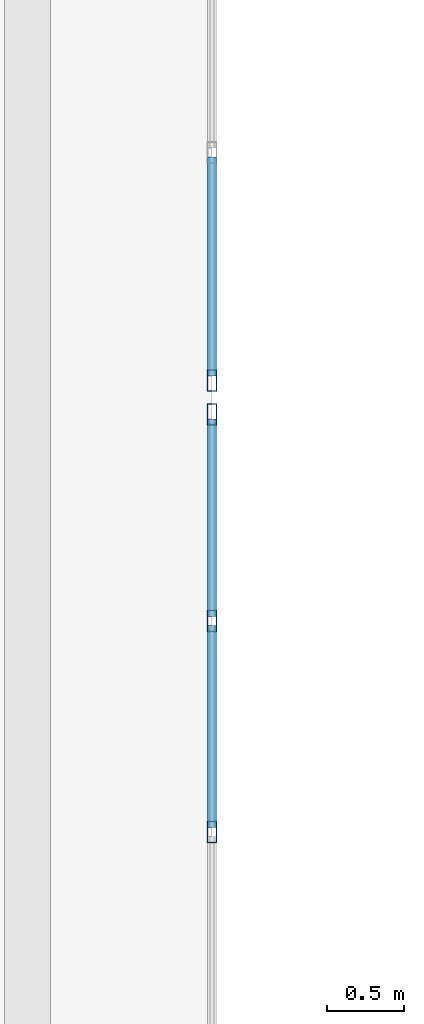
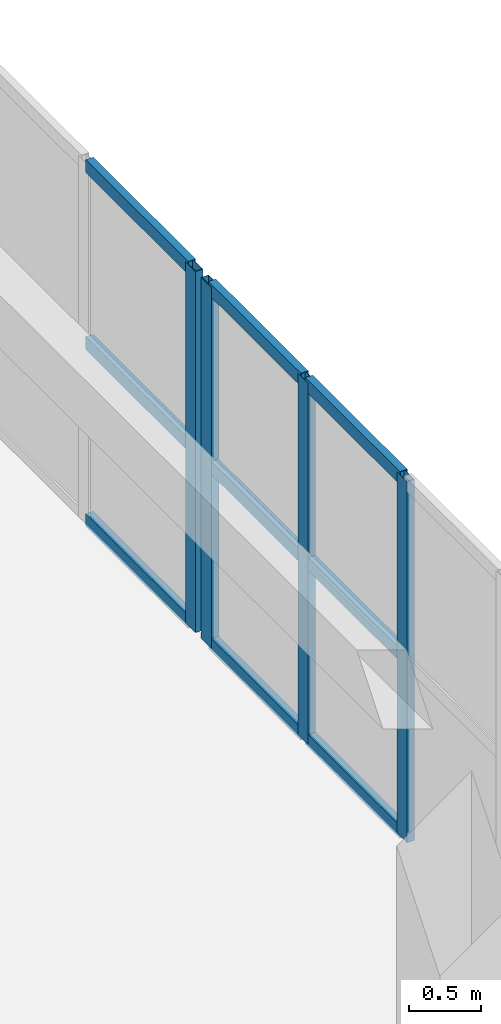
# One storey, part 73 of 200: 13 members, 2 elements without a shape of their own.
"""IFC4 building model written with IfcOpenShell, lengths in metres."""

from ifc_helpers import new_model, si_unit, direction, frame, origin, origin_2d, place, context, subcontext, project, spatial, hollow_rectangle, extrude, material, layer, layer_set, material_profile, profile_set, type_object, element, aggregate, save


model = new_model("IFC4")

# Units and contexts
model_context = context("Model", 3, precision=1e-05, world=origin(), true_north=direction((0.0, 1.0)))
body_context = subcontext(model_context, "Body", "Model", "MODEL_VIEW")
ifc_project = project(units=[si_unit("LENGTHUNIT", "METRE"), si_unit("AREAUNIT", "SQUARE_METRE"), si_unit("VOLUMEUNIT", "CUBIC_METRE"), si_unit("PLANEANGLEUNIT", "RADIAN"), si_unit("MASSUNIT", "GRAM", prefix="KILO")], contexts=[model_context])

# Site, building, storey
site_placement = place(None, origin())
site = spatial("IfcSite", under=ifc_project, at=site_placement, CompositionType="ELEMENT")
building_placement = place(site_placement, origin())
building = spatial("IfcBuilding", under=site, at=building_placement, Name="Trelvath General Hospital", CompositionType="ELEMENT")
storey_placement = place(building_placement, frame((0.0, 0.0, 4.800048828125)))
storey = spatial("IfcBuildingStorey", under=building, at=storey_placement, Name="L01", CompositionType="ELEMENT", Elevation=4.800048828125)

# Curtain wall, members
ifc_material_1 = material(Name="Anodised aluminium and low-E glass", Category="aluminium")
ifc_layer_1 = layer(ifc_material_1, 0.14990234375)
ifc_layer_set_1 = layer_set([ifc_layer_1], Name="Anodised aluminium and low-E glass")
curtain_wall_type_1 = type_object("IfcCurtainWallType", Name="CW CrystalCube 824 306 15", PredefinedType="USERDEFINED", material=ifc_layer_set_1)
curtain_wall_1_placement = place(storey_placement, origin())
curtain_wall_1 = element("IfcCurtainWall", 1, at=curtain_wall_1_placement, inside=storey, type_object=curtain_wall_type_1, Name="Crystal Cube Curtain Wall CUBE-E-T0 E3 L01", ObjectType="Unitised Glazed Curtain Wall", PredefinedType="USERDEFINED")
ifc_material_2 = material(Name="Anodised aluminium", Category="aluminium")
ifc_material_profile_1 = material_profile(ifc_material_2, hollow_rectangle(XDim=0.06005859375, YDim=0.139892578125, WallThickness=0.00390625, at=origin_2d()), Name="RHS60x140x4")
ifc_profile_set_1 = profile_set([ifc_material_profile_1], Name="Anodised aluminium")
member_type_1 = type_object("IfcMemberType", Name="CurtainMullion 60x140", PredefinedType="MULLION", material=ifc_profile_set_1)
member_1_placement = place(storey_placement, frame((121.199951171875, 50.2900390625, 0.0), z_axis=(0.0, 0.0, 1.0), x_axis=(1.0, 0.0, 0.0)))
member_1 = element("IfcMember", 2, at=member_1_placement, type_object=member_type_1, Name="CW-164 mullion 1", PredefinedType="MULLION", context=body_context, shape_type="SweptSolid", body=[
    extrude(hollow_rectangle(XDim=0.06005859375, YDim=0.139892578125, WallThickness=0.00390625, at=origin_2d()), origin(), (0.0, 0.0, 1.0), 3.06005859375),
])
member_2_placement = place(storey_placement, frame((121.199951171875, 48.94677734375, 0.0), z_axis=(0.0, 0.0, 1.0), x_axis=(1.0, 0.0, 0.0)))
member_2 = element("IfcMember", 3, at=member_2_placement, type_object=member_type_1, Name="CW-164 mullion 2", PredefinedType="MULLION", context=body_context, shape_type="SweptSolid", body=[
    extrude(hollow_rectangle(XDim=0.06005859375, YDim=0.139892578125, WallThickness=0.00390625, at=origin_2d()), origin(), (0.0, 0.0, 1.0), 3.06005859375),
])
member_3_placement = place(storey_placement, frame((121.199951171875, 47.5732421875, 0.0), z_axis=(0.0, 0.0, 1.0), x_axis=(1.0, 0.0, 0.0)))
member_3 = element("IfcMember", 4, at=member_3_placement, type_object=member_type_1, Name="CW-164 mullion 3", PredefinedType="MULLION", context=body_context, shape_type="SweptSolid", body=[
    extrude(hollow_rectangle(XDim=0.06005859375, YDim=0.139892578125, WallThickness=0.00390625, at=origin_2d()), origin(), (0.0, 0.0, 1.0), 3.06005859375),
])

# Curtain wall, member
ifc_material_3 = material(Name="Anodised aluminium and low-E glass", Category="aluminium")
ifc_layer_2 = layer(ifc_material_3, 0.14990234375)
ifc_layer_set_2 = layer_set([ifc_layer_2], Name="Anodised aluminium and low-E glass")
curtain_wall_type_2 = type_object("IfcCurtainWallType", Name="CW CrystalCube 1664 306 15", PredefinedType="USERDEFINED", material=ifc_layer_set_2)
curtain_wall_2_placement = place(storey_placement, origin())
curtain_wall_2 = element("IfcCurtainWall", 5, at=curtain_wall_2_placement, inside=storey, type_object=curtain_wall_type_2, Name="Crystal Cube Curtain Wall CUBE-E-T0 E4 L01", ObjectType="Unitised Glazed Curtain Wall", PredefinedType="USERDEFINED")
member_4_placement = place(storey_placement, frame((121.199951171875, 50.510009765625, 0.0), z_axis=(0.0, 0.0, 1.0), x_axis=(1.0, 0.0, 0.0)))
member_4 = element("IfcMember", 6, at=member_4_placement, type_object=member_type_1, Name="CW-165 mullion 12", PredefinedType="MULLION", context=body_context, shape_type="SweptSolid", body=[
    extrude(hollow_rectangle(XDim=0.06005859375, YDim=0.139892578125, WallThickness=0.00390625, at=origin_2d()), origin(), (0.0, 0.0, 1.0), 3.06005859375),
])

# Member
ifc_material_4 = material(Name="Anodised aluminium", Category="aluminium")
ifc_material_profile_2 = material_profile(ifc_material_4, hollow_rectangle(XDim=0.06005859375, YDim=0.110107421875, WallThickness=0.00390625, at=origin_2d()), Name="RHS60x110x4")
ifc_profile_set_2 = profile_set([ifc_material_profile_2], Name="Anodised aluminium")
member_type_2 = type_object("IfcMemberType", Name="CurtainTransom 60x110", PredefinedType="USERDEFINED", material=ifc_profile_set_2)
member_5_placement = place(storey_placement, frame((121.199951171875, 50.260009765625, 0.030029296875), z_axis=(0.0, -1.0, 0.0), x_axis=(1.0, 0.0, 0.0)))
member_5 = element("IfcMember", 7, at=member_5_placement, type_object=member_type_2, Name="CW-164 transom 1.1", ObjectType="TRANSOM", PredefinedType="USERDEFINED", context=body_context, shape_type="SweptSolid", body=[
    extrude(hollow_rectangle(XDim=0.06005859375, YDim=0.110107421875, WallThickness=0.00390625, at=origin_2d()), origin(), (0.0, 0.0, 1.0), 1.283447265625),
])

member_6_placement = place(storey_placement, frame((121.199951171875, 50.260009765625, 1.530029296875), z_axis=(0.0, -1.0, 0.0), x_axis=(1.0, 0.0, 0.0)))
member_6 = element("IfcMember", 8, at=member_6_placement, type_object=member_type_2, Name="CW-164 transom 1.2", ObjectType="TRANSOM", PredefinedType="USERDEFINED", context=body_context, shape_type="SweptSolid", body=[
    extrude(hollow_rectangle(XDim=0.06005859375, YDim=0.110107421875, WallThickness=0.00390625, at=origin_2d()), origin(), (0.0, 0.0, 1.0), 1.283447265625),
])

member_7_placement = place(storey_placement, frame((121.199951171875, 50.260009765625, 3.030029296875), z_axis=(0.0, -1.0, 0.0), x_axis=(1.0, 0.0, 0.0)))
member_7 = element("IfcMember", 9, at=member_7_placement, type_object=member_type_2, Name="CW-164 transom 1.3", ObjectType="TRANSOM", PredefinedType="USERDEFINED", context=body_context, shape_type="SweptSolid", body=[
    extrude(hollow_rectangle(XDim=0.06005859375, YDim=0.110107421875, WallThickness=0.00390625, at=origin_2d()), origin(), (0.0, 0.0, 1.0), 1.283447265625),
])

member_8_placement = place(storey_placement, frame((121.199951171875, 48.916748046875, 0.030029296875), z_axis=(0.0, -1.0, 0.0), x_axis=(1.0, 0.0, 0.0)))
member_8 = element("IfcMember", 10, at=member_8_placement, type_object=member_type_2, Name="CW-164 transom 2.1", ObjectType="TRANSOM", PredefinedType="USERDEFINED", context=body_context, shape_type="SweptSolid", body=[
    extrude(hollow_rectangle(XDim=0.06005859375, YDim=0.110107421875, WallThickness=0.00390625, at=origin_2d()), origin(), (0.0, 0.0, 1.0), 1.3134765625),
])

member_9_placement = place(storey_placement, frame((121.199951171875, 48.916748046875, 1.530029296875), z_axis=(0.0, -1.0, 0.0), x_axis=(1.0, 0.0, 0.0)))
member_9 = element("IfcMember", 11, at=member_9_placement, type_object=member_type_2, Name="CW-164 transom 2.2", ObjectType="TRANSOM", PredefinedType="USERDEFINED", context=body_context, shape_type="SweptSolid", body=[
    extrude(hollow_rectangle(XDim=0.06005859375, YDim=0.110107421875, WallThickness=0.00390625, at=origin_2d()), origin(), (0.0, 0.0, 1.0), 1.3134765625),
])

member_10_placement = place(storey_placement, frame((121.199951171875, 48.916748046875, 3.030029296875), z_axis=(0.0, -1.0, 0.0), x_axis=(1.0, 0.0, 0.0)))
member_10 = element("IfcMember", 12, at=member_10_placement, type_object=member_type_2, Name="CW-164 transom 2.3", ObjectType="TRANSOM", PredefinedType="USERDEFINED", context=body_context, shape_type="SweptSolid", body=[
    extrude(hollow_rectangle(XDim=0.06005859375, YDim=0.110107421875, WallThickness=0.00390625, at=origin_2d()), origin(), (0.0, 0.0, 1.0), 1.3134765625),
])

aggregate(curtain_wall_1, [member_1, member_2, member_3, member_5, member_6, member_7, member_8, member_9, member_10])

member_11_placement = place(storey_placement, frame((121.199951171875, 51.962646484375, 0.030029296875), z_axis=(0.0, -1.0, 0.0), x_axis=(1.0, 0.0, 0.0)))
member_11 = element("IfcMember", 13, at=member_11_placement, type_object=member_type_2, Name="CW-165 transom 11.1", ObjectType="TRANSOM", PredefinedType="USERDEFINED", context=body_context, shape_type="SweptSolid", body=[
    extrude(hollow_rectangle(XDim=0.06005859375, YDim=0.110107421875, WallThickness=0.00390625, at=origin_2d()), origin(), (0.0, 0.0, 1.0), 1.422607421875),
])

member_12_placement = place(storey_placement, frame((121.199951171875, 51.962646484375, 1.530029296875), z_axis=(0.0, -1.0, 0.0), x_axis=(1.0, 0.0, 0.0)))
member_12 = element("IfcMember", 14, at=member_12_placement, type_object=member_type_2, Name="CW-165 transom 11.2", ObjectType="TRANSOM", PredefinedType="USERDEFINED", context=body_context, shape_type="SweptSolid", body=[
    extrude(hollow_rectangle(XDim=0.06005859375, YDim=0.110107421875, WallThickness=0.00390625, at=origin_2d()), origin(), (0.0, 0.0, 1.0), 1.422607421875),
])

member_13_placement = place(storey_placement, frame((121.199951171875, 51.962646484375, 3.030029296875), z_axis=(0.0, -1.0, 0.0), x_axis=(1.0, 0.0, 0.0)))
member_13 = element("IfcMember", 15, at=member_13_placement, type_object=member_type_2, Name="CW-165 transom 11.3", ObjectType="TRANSOM", PredefinedType="USERDEFINED", context=body_context, shape_type="SweptSolid", body=[
    extrude(hollow_rectangle(XDim=0.06005859375, YDim=0.110107421875, WallThickness=0.00390625, at=origin_2d()), origin(), (0.0, 0.0, 1.0), 1.422607421875),
])

aggregate(curtain_wall_2, [member_4, member_11, member_12, member_13])

save(model, "model.ifc")
